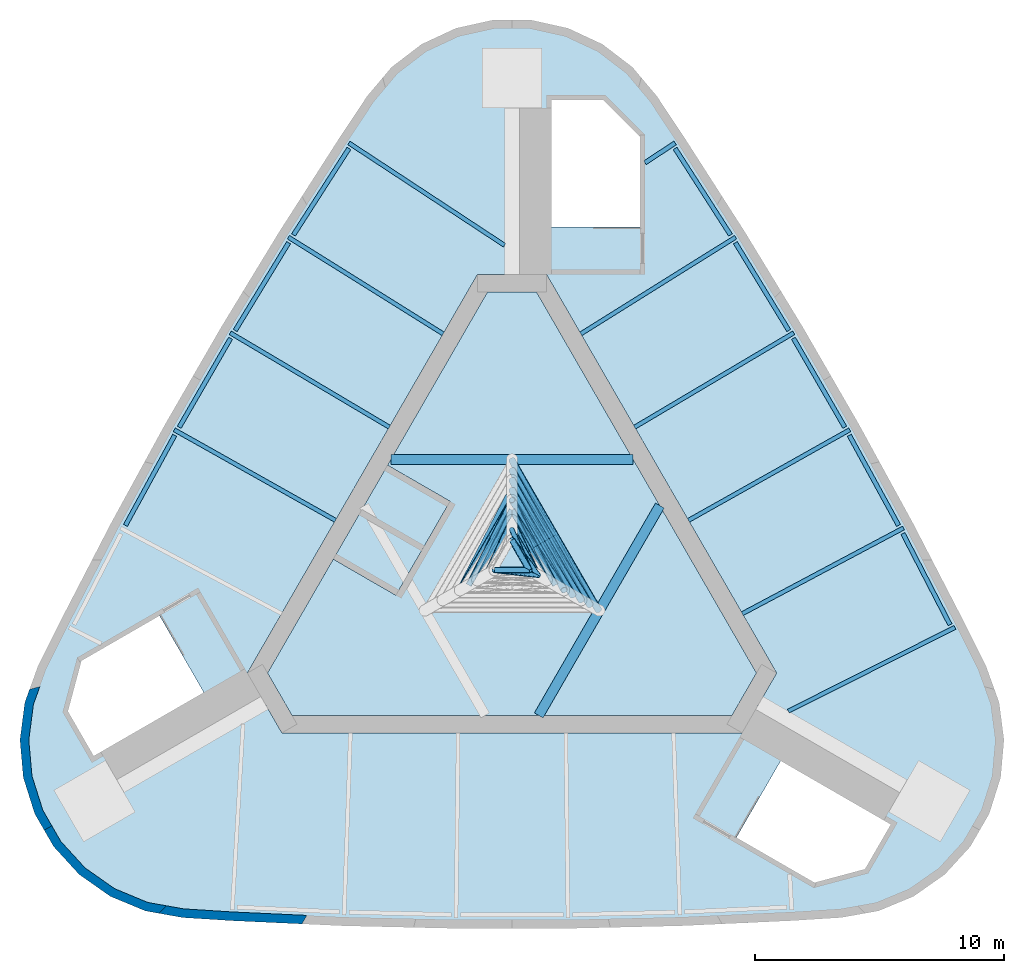
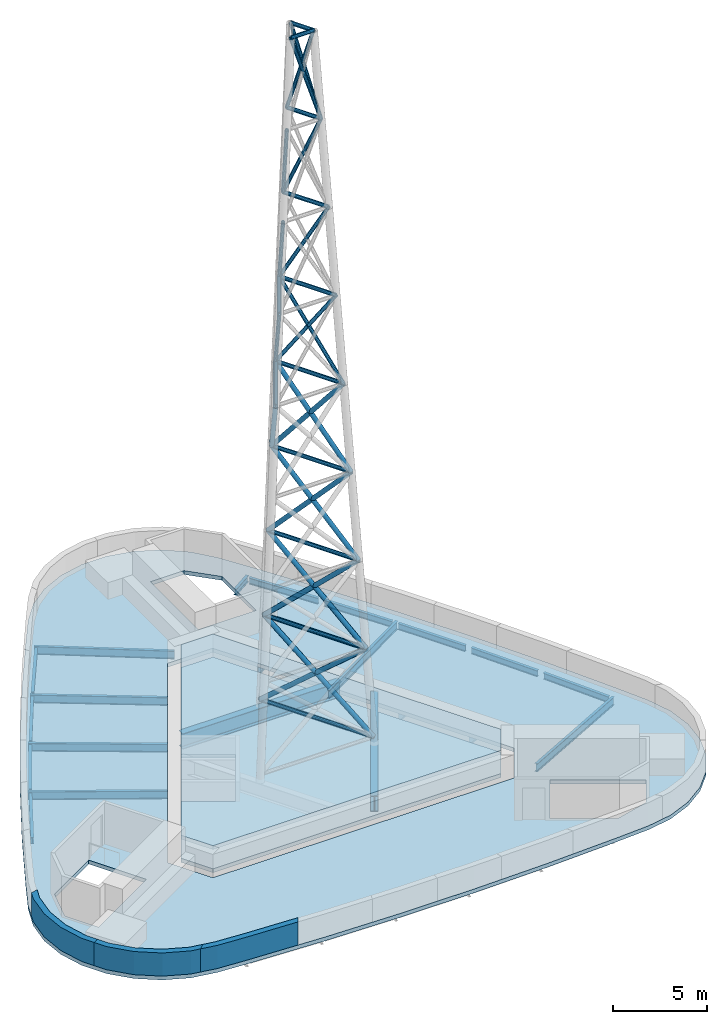
# One storey, part 2 of 4: 31 members, 21 beams, 3 slabs, 3 walls.
"""IFC4 building model written with IfcOpenShell, lengths in metres."""

from ifc_helpers import new_model, si_unit, direction, frame, origin, origin_2d, place, context, subcontext, project, spatial, polyline, hollow_circle, i_section, outline, extrude, material, layer, layer_set, material_profile, profile_set, type_object, element, save


model = new_model("IFC4")

# Units and contexts
model_context = context("Model", 3, precision=1e-05, world=origin(), true_north=direction((0.0, 1.0)))
body_context = subcontext(model_context, "Body", "Model", "MODEL_VIEW")
ifc_project = project(units=[si_unit("LENGTHUNIT", "METRE"), si_unit("AREAUNIT", "SQUARE_METRE"), si_unit("VOLUMEUNIT", "CUBIC_METRE"), si_unit("PLANEANGLEUNIT", "RADIAN"), si_unit("MASSUNIT", "GRAM", prefix="KILO")], contexts=[model_context])

# Site, building, storey
site_placement = place(None, origin())
site = spatial("IfcSite", under=ifc_project, at=site_placement, CompositionType="ELEMENT")
building_placement = place(site_placement, origin())
building = spatial("IfcBuilding", under=site, at=building_placement, Name="Noor Cloister Tower", CompositionType="ELEMENT")
storey_placement = place(building_placement, frame((0.0, 0.0, 306.60009765625)))
storey = spatial("IfcBuildingStorey", under=building, at=storey_placement, Name="Roof", CompositionType="ELEMENT", Elevation=306.60009765625)

# Members
ifc_material_1 = material(Name="Steel ASTM A500 Gr C", Category="steel")
ifc_material_profile_1 = material_profile(ifc_material_1, hollow_circle(Radius=0.109619140625, WallThickness=0.00830078125, at=origin_2d()), Name="HSS219.1x8.2")
ifc_profile_set_1 = profile_set([ifc_material_profile_1], Name="Steel ASTM A500 Gr C")
member_type_1 = type_object("IfcMemberType", Name="MAST BRACE HSS219.1x8.2", PredefinedType="BRACE", material=ifc_profile_set_1)
for number, where, z_axis, x_axis, name in (
    (1, (0.0, 2.4091796875, 24.599853515625), (-0.252546026961, -0.495523231682, 0.831069931552), (0.890959731662, -0.454082323546, 0.0), "MAST BRACE 1-5-1"),
    (2, (2.08642578125, -1.20458984375, 24.599853515625), (-0.302866667304, 0.466491217145, 0.831058196616), (-0.838733200922, -0.544542576546, 0.0), "MAST BRACE 3-5-1"),
    (3, (0.0, 2.4091796875, 24.599853515625), (0.252546026961, -0.495523231682, 0.831069931552), (0.890959731662, 0.454082323546, 0.0), "MAST BRACE 3-5-2"),
):
    element("IfcMember", number, at=place(storey_placement, frame(where, z_axis=z_axis, x_axis=x_axis)), inside=storey, type_object=member_type_1, Name=name, PredefinedType="BRACE", context=body_context, shape_type="SweptSolid", body=[
        extrude(hollow_circle(Radius=0.109619140625, WallThickness=0.00830078125, at=origin_2d()), origin(), (0.0, 0.0, 1.0), 6.888916015625),
    ])
for number, where, z_axis, x_axis, name in (
    (4, (0.0, 2.009033203125, 30.324951171875), (-0.213395673786, -0.430904458509, 0.876803075979), (0.896131414675, -0.443788787187, 0.0), "MAST BRACE 1-6-1"),
    (5, (0.0, 2.009033203125, 30.324951171875), (0.213395673786, -0.430904458509, 0.876803075979), (0.896131414675, 0.443788787187, 0.0), "MAST BRACE 3-6-2"),
):
    element("IfcMember", number, at=place(storey_placement, frame(where, z_axis=z_axis, x_axis=x_axis)), inside=storey, type_object=member_type_1, Name=name, PredefinedType="BRACE", context=body_context, shape_type="SweptSolid", body=[
        extrude(hollow_circle(Radius=0.109619140625, WallThickness=0.00830078125, at=origin_2d()), origin(), (0.0, 0.0, 1.0), 6.529296875),
    ])
for number, where, z_axis, x_axis, name in (
    (6, (0.0, 1.608642578125, 36.0498046875), (-0.168093483015, -0.355399890377, 0.919475665196), (0.903987470917, -0.427558946141, 0.0), "MAST BRACE 1-7-1"),
    (7, (0.0, 1.608642578125, 36.0498046875), (0.168093483015, -0.355399890377, 0.919475665196), (0.903987470917, 0.427558946141, 0.0), "MAST BRACE 3-7-2"),
):
    element("IfcMember", number, at=place(storey_placement, frame(where, z_axis=z_axis, x_axis=x_axis)), inside=storey, type_object=member_type_1, Name=name, PredefinedType="BRACE", context=body_context, shape_type="SweptSolid", body=[
        extrude(hollow_circle(Radius=0.109619140625, WallThickness=0.00830078125, at=origin_2d()), origin(), (0.0, 0.0, 1.0), 6.2265625),
    ])
for number, where, z_axis, x_axis, name in (
    (8, (1.046630859375, -0.604248046875, 41.77490234375), (-0.291634715847, 0.03342751845, 0.955945497151), (-0.113875582215, -0.993495018495, 0.0), "MAST BRACE 2-8-2"),
    (9, (1.046630859375, -0.604248046875, 41.77490234375), (-0.17476010912, 0.235867037875, 0.955942281053), (-0.80348584745, -0.595323855517, 0.0), "MAST BRACE 3-8-1"),
    (10, (0.0, 1.20849609375, 41.77490234375), (0.116874640487, -0.269256016888, 0.95595058229), (0.917310557792, 0.398172501013, 0.0), "MAST BRACE 3-8-2"),
):
    element("IfcMember", number, at=place(storey_placement, frame(where, z_axis=z_axis, x_axis=x_axis)), inside=storey, type_object=member_type_1, Name=name, PredefinedType="BRACE", context=body_context, shape_type="SweptSolid", body=[
        extrude(hollow_circle(Radius=0.109619140625, WallThickness=0.00830078125, at=origin_2d()), origin(), (0.0, 0.0, 1.0), 5.989013671875),
    ])
ifc_material_2 = material(Name="Steel ASTM A500 Gr C", Category="steel")
ifc_material_profile_2 = material_profile(ifc_material_2, hollow_circle(Radius=0.136474609375, WallThickness=0.009521484375, at=origin_2d()), Name="HSS273.1x9.5")
ifc_profile_set_2 = profile_set([ifc_material_profile_2], Name="Steel ASTM A500 Gr C")
member_type_2 = type_object("IfcMemberType", Name="MAST BRACE HSS273.1x9.5", PredefinedType="BRACE", material=ifc_profile_set_2)
member_1_placement = place(storey_placement, frame((3.47265625, -2.0048828125, 1.699951171875), z_axis=(-0.39740436974, 0.642541176553, 0.655141666623), x_axis=(-0.850477866723, -0.526010834693, 0.0)))
element("IfcMember", 11, at=member_1_placement, inside=storey, type_object=member_type_2, Name="MAST BRACE 3-1-1", PredefinedType="BRACE", context=body_context, shape_type="SweptSolid", body=[
    extrude(hollow_circle(Radius=0.136474609375, WallThickness=0.009521484375, at=origin_2d()), origin(), (0.0, 0.0, 1.0), 8.73828125),
])
member_2_placement = place(storey_placement, frame((0.0, 4.010009765625, 1.699951171875), z_axis=(0.357754042713, -0.665442076481, 0.655132725309), x_axis=(0.880780828243, 0.473524162635, 0.0)))
element("IfcMember", 12, at=member_2_placement, inside=storey, type_object=member_type_2, Name="MAST BRACE 3-1-2", PredefinedType="BRACE", context=body_context, shape_type="SweptSolid", body=[
    extrude(hollow_circle(Radius=0.136474609375, WallThickness=0.009521484375, at=origin_2d()), origin(), (0.0, 0.0, 1.0), 8.738525390625),
])
member_3_placement = place(storey_placement, frame((3.126220703125, -1.804931640625, 7.4248046875), z_axis=(-0.379965132951, 0.609457545153, 0.695836186467), x_axis=(-0.848589661957, -0.529051590698, 0.0)))
element("IfcMember", 13, at=member_3_placement, inside=storey, type_object=member_type_2, Name="MAST BRACE 3-2-1", PredefinedType="BRACE", context=body_context, shape_type="SweptSolid", body=[
    extrude(hollow_circle(Radius=0.136474609375, WallThickness=0.009521484375, at=origin_2d()), origin(), (0.0, 0.0, 1.0), 8.2275390625),
])
member_4_placement = place(storey_placement, frame((0.0, 3.60986328125, 7.4248046875), z_axis=(0.337828234702, -0.633787726394, 0.695834176878), x_axis=(0.882463854545, 0.47038021368, 0.0)))
element("IfcMember", 14, at=member_4_placement, inside=storey, type_object=member_type_2, Name="MAST BRACE 3-2-2", PredefinedType="BRACE", context=body_context, shape_type="SweptSolid", body=[
    extrude(hollow_circle(Radius=0.136474609375, WallThickness=0.009521484375, at=origin_2d()), origin(), (0.0, 0.0, 1.0), 8.227783203125),
])
for number, where, z_axis, x_axis, name in (
    (15, (2.779541015625, -1.604736328125, 13.14990234375), (-0.358877460904, 0.569916951528, 0.739189851402), (-0.846205483352, -0.532856716149, 0.0), "MAST BRACE 3-3-1"),
    (16, (0.0, 3.20947265625, 13.14990234375), (0.314115254422, -0.595763001363, 0.739187427617), (0.884577877416, 0.466392515791, 0.0), "MAST BRACE 3-3-2"),
):
    element("IfcMember", number, at=place(storey_placement, frame(where, z_axis=z_axis, x_axis=x_axis)), inside=storey, type_object=member_type_2, Name=name, PredefinedType="BRACE", context=body_context, shape_type="SweptSolid", body=[
        extrude(hollow_circle(Radius=0.136474609375, WallThickness=0.009521484375, at=origin_2d()), origin(), (0.0, 0.0, 1.0), 7.7451171875),
    ])
member_5_placement = place(storey_placement, frame((0.0, 2.809326171875, 18.875), z_axis=(-0.285949575126, -0.55011665863, 0.784604679047), x_axis=(0.887290129595, -0.461211693177, 0.0)))
element("IfcMember", 17, at=member_5_placement, inside=storey, type_object=member_type_2, Name="MAST BRACE 1-4-1", PredefinedType="BRACE", context=body_context, shape_type="SweptSolid", body=[
    extrude(hollow_circle(Radius=0.136474609375, WallThickness=0.009521484375, at=origin_2d()), origin(), (0.0, 0.0, 1.0), 7.29638671875),
])
member_6_placement = place(storey_placement, frame((2.432861328125, -1.40478515625, 18.875), z_axis=(-0.333427981952, 0.522710680789, 0.784601379709), x_axis=(-0.843081003034, -0.537786595522, 0.0)))
element("IfcMember", 18, at=member_6_placement, inside=storey, type_object=member_type_2, Name="MAST BRACE 3-4-1", PredefinedType="BRACE", context=body_context, shape_type="SweptSolid", body=[
    extrude(hollow_circle(Radius=0.136474609375, WallThickness=0.009521484375, at=origin_2d()), origin(), (0.0, 0.0, 1.0), 7.296630859375),
])
member_7_placement = place(storey_placement, frame((0.0, 2.809326171875, 18.875), z_axis=(0.285949575126, -0.55011665863, 0.784604679047), x_axis=(0.887290129595, 0.461211693177, 0.0)))
element("IfcMember", 19, at=member_7_placement, inside=storey, type_object=member_type_2, Name="MAST BRACE 3-4-2", PredefinedType="BRACE", context=body_context, shape_type="SweptSolid", body=[
    extrude(hollow_circle(Radius=0.136474609375, WallThickness=0.009521484375, at=origin_2d()), origin(), (0.0, 0.0, 1.0), 7.29638671875),
])
ifc_material_3 = material(Name="Steel ASTM A500 Gr C", Category="steel")
ifc_material_profile_3 = material_profile(ifc_material_3, hollow_circle(Radius=0.1220703125, WallThickness=0.008056640625, at=origin_2d()), Name="HSS244.5x7.9")
ifc_profile_set_3 = profile_set([ifc_material_profile_3], Name="Steel ASTM A500 Gr C")
member_type_3 = type_object("IfcMemberType", Name="MAST RING HSS244.5x7.9", PredefinedType="STRUT", material=ifc_profile_set_3)
member_8_placement = place(storey_placement, frame((3.47265625, -2.0048828125, 1.699951171875), z_axis=(-0.49999529192, 0.866028121979, 0.0), x_axis=(-0.866028121979, -0.49999529192, 0.0)))
element("IfcMember", 20, at=member_8_placement, inside=storey, type_object=member_type_3, Name="MAST RING 3-0", PredefinedType="STRUT", context=body_context, shape_type="SweptSolid", body=[
    extrude(hollow_circle(Radius=0.1220703125, WallThickness=0.008056640625, at=origin_2d()), origin(), (0.0, 0.0, 1.0), 6.9453125),
])
member_9_placement = place(storey_placement, frame((3.126220703125, -1.804931640625, 7.4248046875), z_axis=(-0.499998488279, 0.866026276575, 0.0), x_axis=(-0.866026276575, -0.499998488279, 0.0)))
element("IfcMember", 21, at=member_9_placement, inside=storey, type_object=member_type_3, Name="MAST RING 3-1", PredefinedType="STRUT", context=body_context, shape_type="SweptSolid", body=[
    extrude(hollow_circle(Radius=0.1220703125, WallThickness=0.008056640625, at=origin_2d()), origin(), (0.0, 0.0, 1.0), 6.25244140625),
])
member_10_placement = place(storey_placement, frame((2.779541015625, -1.604736328125, 13.14990234375), z_axis=(-0.500007577232, 0.866021029023, 0.0), x_axis=(-0.866021029023, -0.500007577232, 0.0)))
element("IfcMember", 22, at=member_10_placement, inside=storey, type_object=member_type_3, Name="MAST RING 3-2", PredefinedType="STRUT", context=body_context, shape_type="SweptSolid", body=[
    extrude(hollow_circle(Radius=0.1220703125, WallThickness=0.008056640625, at=origin_2d()), origin(), (0.0, 0.0, 1.0), 5.55908203125),
])
member_11_placement = place(storey_placement, frame((2.432861328125, -1.40478515625, 18.875), z_axis=(-0.499975803918, 0.866039372948, 0.0), x_axis=(-0.866039372948, -0.499975803918, 0.0)))
element("IfcMember", 23, at=member_11_placement, inside=storey, type_object=member_type_3, Name="MAST RING 3-3", PredefinedType="STRUT", context=body_context, shape_type="SweptSolid", body=[
    extrude(hollow_circle(Radius=0.1220703125, WallThickness=0.008056640625, at=origin_2d()), origin(), (0.0, 0.0, 1.0), 4.865966796875),
])
for number, where, z_axis, x_axis, name in (
    (24, (0.0, 2.4091796875, 24.599853515625), (-0.500002690545, -0.866023850392, 0.0), (0.866023850392, -0.500002690545, 0.0), "MAST RING 1-4"),
    (25, (2.08642578125, -1.20458984375, 24.599853515625), (-0.500002690545, 0.866023850392, 0.0), (-0.866023850392, -0.500002690545, 0.0), "MAST RING 3-4"),
):
    element("IfcMember", number, at=place(storey_placement, frame(where, z_axis=z_axis, x_axis=x_axis)), inside=storey, type_object=member_type_3, Name=name, PredefinedType="STRUT", context=body_context, shape_type="SweptSolid", body=[
        extrude(hollow_circle(Radius=0.1220703125, WallThickness=0.008056640625, at=origin_2d()), origin(), (0.0, 0.0, 1.0), 4.1728515625),
    ])
for number, where, z_axis, x_axis, name in (
    (26, (0.0, 2.009033203125, 30.324951171875), (-0.499987666584, -0.866032524368, 0.0), (0.866032524368, -0.499987666584, 0.0), "MAST RING 1-5"),
    (27, (1.73974609375, -1.00439453125, 30.324951171875), (-0.499987666584, 0.866032524368, 0.0), (-0.866032524368, -0.499987666584, 0.0), "MAST RING 3-5"),
):
    element("IfcMember", number, at=place(storey_placement, frame(where, z_axis=z_axis, x_axis=x_axis)), inside=storey, type_object=member_type_3, Name=name, PredefinedType="STRUT", context=body_context, shape_type="SweptSolid", body=[
        extrude(hollow_circle(Radius=0.1220703125, WallThickness=0.008056640625, at=origin_2d()), origin(), (0.0, 0.0, 1.0), 3.4794921875),
    ])
member_12_placement = place(storey_placement, frame((1.393310546875, -0.804443359375, 36.0498046875), z_axis=(-0.500030880729, 0.866007574053, 0.0), x_axis=(-0.866007574053, -0.500030880729, 0.0)))
element("IfcMember", 28, at=member_12_placement, inside=storey, type_object=member_type_3, Name="MAST RING 3-6", PredefinedType="STRUT", context=body_context, shape_type="SweptSolid", body=[
    extrude(hollow_circle(Radius=0.1220703125, WallThickness=0.008056640625, at=origin_2d()), origin(), (0.0, 0.0, 1.0), 2.786376953125),
])
member_13_placement = place(storey_placement, frame((1.046630859375, -0.604248046875, 41.77490234375), z_axis=(-0.5000152428, 0.866016603171, 0.0), x_axis=(-0.866016603171, -0.5000152428, 0.0)))
element("IfcMember", 29, at=member_13_placement, inside=storey, type_object=member_type_3, Name="MAST RING 3-7", PredefinedType="STRUT", context=body_context, shape_type="SweptSolid", body=[
    extrude(hollow_circle(Radius=0.1220703125, WallThickness=0.008056640625, at=origin_2d()), origin(), (0.0, 0.0, 1.0), 2.09326171875),
])
for number, where, z_axis, x_axis, name in (
    (30, (-0.699951171875, -0.404052734375, 47.5), (1.0, 0.0, 0.0), (0.0, 1.0, 0.0), "MAST RING 2-8"),
    (31, (0.699951171875, -0.404052734375, 47.5), (-0.49998411664, 0.866034573852, 0.0), (-0.866034573852, -0.49998411664, 0.0), "MAST RING 3-8"),
):
    element("IfcMember", number, at=place(storey_placement, frame(where, z_axis=z_axis, x_axis=x_axis)), inside=storey, type_object=member_type_3, Name=name, PredefinedType="STRUT", context=body_context, shape_type="SweptSolid", body=[
        extrude(hollow_circle(Radius=0.1220703125, WallThickness=0.008056640625, at=origin_2d()), origin(), (0.0, 0.0, 1.0), 1.39990234375),
    ])

# Beams
ifc_material_4 = material(Name="Steel ASTM A992 Gr 50", Category="steel")
ifc_material_profile_4 = material_profile(ifc_material_4, i_section(OverallWidth=0.40087890625, OverallDepth=0.98291015625, WebThickness=0.0166015625, FlangeThickness=0.027099609375, FilletRadius=0.030029296875, at=origin_2d()), Name="W1000x296")
ifc_profile_set_4 = profile_set([ifc_material_profile_4], Name="Steel ASTM A992 Gr 50")
beam_type_1 = type_object("IfcBeamType", Name="Mast plinth beam W1000x296", PredefinedType="BEAM", material=ifc_profile_set_4)
for number, where, z_axis, x_axis, name in (
    (32, (4.8583984375, 4.04150390625, 0.75830078125), (-1.0, 0.0, 0.0), (0.0, -1.0, 0.0), "MAST PLINTH BEAM N"),
    (33, (1.07080078125, -6.228271484375, 0.75830078125), (0.499997944509, 0.866026590519, 0.0), (-0.866026590519, 0.499997944509, 0.0), "MAST PLINTH BEAM SE"),
):
    element("IfcBeam", number, at=place(storey_placement, frame(where, z_axis=z_axis, x_axis=x_axis)), inside=storey, type_object=beam_type_1, Name=name, PredefinedType="BEAM", context=body_context, shape_type="SweptSolid", body=[
        extrude(i_section(OverallWidth=0.40087890625, OverallDepth=0.98291015625, WebThickness=0.0166015625, FlangeThickness=0.027099609375, FilletRadius=0.030029296875, at=origin_2d()), origin(), (0.0, 0.0, 1.0), 9.716796875),
    ])
ifc_material_5 = material(Name="Steel ASTM A992 Gr 50", Category="steel")
ifc_material_profile_5 = material_profile(ifc_material_5, i_section(OverallWidth=0.177978515625, OverallDepth=0.406005859375, WebThickness=0.0078125, FlangeThickness=0.0126953125, FilletRadius=0.01025390625, at=origin_2d()), Name="W410x60")
ifc_profile_set_5 = profile_set([ifc_material_profile_5], Name="Steel ASTM A992 Gr 50")
beam_type_2 = type_object("IfcBeamType", Name="Radial beam W410x60", PredefinedType="BEAM", material=ifc_profile_set_5)
beam_1_placement = place(storey_placement, frame((6.543701171875, 16.732421875, -0.453125), z_axis=(-0.835592525802, -0.549349734526, 0.0), x_axis=(0.549349734526, -0.835592525802, 0.0)))
element("IfcBeam", 34, at=beam_1_placement, inside=storey, type_object=beam_type_2, Name="Radial beam NE 06 Roof", PredefinedType="BEAM", context=body_context, shape_type="SweptSolid", body=[
    extrude(i_section(OverallWidth=0.177978515625, OverallDepth=0.406005859375, WebThickness=0.0078125, FlangeThickness=0.0126953125, FilletRadius=0.01025390625, at=origin_2d()), origin(), (0.0, 0.0, 1.0), 1.44580078125),
])
ifc_material_6 = material(Name="Steel ASTM A992 Gr 50", Category="steel")
ifc_material_profile_6 = material_profile(ifc_material_6, i_section(OverallWidth=0.166015625, OverallDepth=0.528076171875, WebThickness=0.009765625, FlangeThickness=0.013671875, FilletRadius=0.0126953125, at=origin_2d()), Name="W530x74")
ifc_profile_set_6 = profile_set([ifc_material_profile_6], Name="Steel ASTM A992 Gr 50")
beam_type_3 = type_object("IfcBeamType", Name="Radial beam W530x74", PredefinedType="BEAM", material=ifc_profile_set_6)
beam_2_placement = place(storey_placement, frame((-6.543701171875, 16.732421875, -0.51416015625), z_axis=(0.835597066484, -0.549342827825, 0.0), x_axis=(0.549342827825, 0.835597066484, 0.0)))
element("IfcBeam", 35, at=beam_2_placement, inside=storey, type_object=beam_type_3, Name="Radial beam NW 01 Roof", PredefinedType="BEAM", context=body_context, shape_type="SweptSolid", body=[
    extrude(i_section(OverallWidth=0.166015625, OverallDepth=0.528076171875, WebThickness=0.009765625, FlangeThickness=0.013671875, FilletRadius=0.0126953125, at=origin_2d()), origin(), (0.0, 0.0, 1.0), 7.47216796875),
])
beam_3_placement = place(storey_placement, frame((-8.966552734375, 12.952392578125, -0.51416015625), z_axis=(0.848095755563, -0.529842985606, 0.0), x_axis=(0.529842985606, 0.848095755563, 0.0)))
element("IfcBeam", 36, at=beam_3_placement, inside=storey, type_object=beam_type_3, Name="Radial beam NW 02 Roof", PredefinedType="BEAM", context=body_context, shape_type="SweptSolid", body=[
    extrude(i_section(OverallWidth=0.166015625, OverallDepth=0.528076171875, WebThickness=0.009765625, FlangeThickness=0.013671875, FilletRadius=0.0126953125, at=origin_2d()), origin(), (0.0, 0.0, 1.0), 7.317626953125),
])
beam_4_placement = place(storey_placement, frame((-11.301025390625, 9.116943359375, -0.51416015625), z_axis=(0.8601674766, -0.510011678492, 0.0), x_axis=(0.510011678492, 0.8601674766, 0.0)))
element("IfcBeam", 37, at=beam_4_placement, inside=storey, type_object=beam_type_3, Name="Radial beam NW 03 Roof", PredefinedType="BEAM", context=body_context, shape_type="SweptSolid", body=[
    extrude(i_section(OverallWidth=0.166015625, OverallDepth=0.528076171875, WebThickness=0.009765625, FlangeThickness=0.013671875, FilletRadius=0.0126953125, at=origin_2d()), origin(), (0.0, 0.0, 1.0), 7.41796875),
])
beam_5_placement = place(storey_placement, frame((-13.546142578125, 5.228515625, -0.51416015625), z_axis=(0.871771481583, -0.489912730901, 0.0), x_axis=(0.489912730901, 0.871771481583, 0.0)))
element("IfcBeam", 38, at=beam_5_placement, inside=storey, type_object=beam_type_3, Name="Radial beam NW 04 Roof", PredefinedType="BEAM", context=body_context, shape_type="SweptSolid", body=[
    extrude(i_section(OverallWidth=0.166015625, OverallDepth=0.528076171875, WebThickness=0.009765625, FlangeThickness=0.013671875, FilletRadius=0.0126953125, at=origin_2d()), origin(), (0.0, 0.0, 1.0), 7.417724609375),
])
beam_6_placement = place(storey_placement, frame((17.762451171875, -2.69921875, -0.51416015625), z_axis=(-0.893543245424, -0.448977135897, 0.0), x_axis=(0.448977135897, -0.893543245424, 0.0)))
element("IfcBeam", 39, at=beam_6_placement, inside=storey, type_object=beam_type_3, Name="Radial beam NE 01 Roof", PredefinedType="BEAM", context=body_context, shape_type="SweptSolid", body=[
    extrude(i_section(OverallWidth=0.166015625, OverallDepth=0.528076171875, WebThickness=0.009765625, FlangeThickness=0.013671875, FilletRadius=0.0126953125, at=origin_2d()), origin(), (0.0, 0.0, 1.0), 7.471923828125),
])
beam_7_placement = place(storey_placement, frame((15.7001953125, 1.2890625, -0.51416015625), z_axis=(-0.882900936167, -0.469559300745, 0.0), x_axis=(0.469559300745, -0.882900936167, 0.0)))
element("IfcBeam", 40, at=beam_7_placement, inside=storey, type_object=beam_type_3, Name="Radial beam NE 02 Roof", PredefinedType="BEAM", context=body_context, shape_type="SweptSolid", body=[
    extrude(i_section(OverallWidth=0.166015625, OverallDepth=0.528076171875, WebThickness=0.009765625, FlangeThickness=0.013671875, FilletRadius=0.0126953125, at=origin_2d()), origin(), (0.0, 0.0, 1.0), 7.317626953125),
])
beam_8_placement = place(storey_placement, frame((13.546142578125, 5.228515625, -0.51416015625), z_axis=(-0.871771481583, -0.489912730901, 0.0), x_axis=(0.489912730901, -0.871771481583, 0.0)))
element("IfcBeam", 41, at=beam_8_placement, inside=storey, type_object=beam_type_3, Name="Radial beam NE 03 Roof", PredefinedType="BEAM", context=body_context, shape_type="SweptSolid", body=[
    extrude(i_section(OverallWidth=0.166015625, OverallDepth=0.528076171875, WebThickness=0.009765625, FlangeThickness=0.013671875, FilletRadius=0.0126953125, at=origin_2d()), origin(), (0.0, 0.0, 1.0), 7.417724609375),
])
beam_9_placement = place(storey_placement, frame((11.301025390625, 9.116943359375, -0.51416015625), z_axis=(-0.8601674766, -0.510011678492, 0.0), x_axis=(0.510011678492, -0.8601674766, 0.0)))
element("IfcBeam", 42, at=beam_9_placement, inside=storey, type_object=beam_type_3, Name="Radial beam NE 04 Roof", PredefinedType="BEAM", context=body_context, shape_type="SweptSolid", body=[
    extrude(i_section(OverallWidth=0.166015625, OverallDepth=0.528076171875, WebThickness=0.009765625, FlangeThickness=0.013671875, FilletRadius=0.0126953125, at=origin_2d()), origin(), (0.0, 0.0, 1.0), 7.41796875),
])
beam_10_placement = place(storey_placement, frame((8.966552734375, 12.952392578125, -0.51416015625), z_axis=(-0.848095755563, -0.529842985606, 0.0), x_axis=(0.529842985606, -0.848095755563, 0.0)))
element("IfcBeam", 43, at=beam_10_placement, inside=storey, type_object=beam_type_3, Name="Radial beam NE 05 Roof", PredefinedType="BEAM", context=body_context, shape_type="SweptSolid", body=[
    extrude(i_section(OverallWidth=0.166015625, OverallDepth=0.528076171875, WebThickness=0.009765625, FlangeThickness=0.013671875, FilletRadius=0.0126953125, at=origin_2d()), origin(), (0.0, 0.0, 1.0), 7.317626953125),
])
ifc_material_7 = material(Name="Steel ASTM A992 Gr 50", Category="steel")
ifc_material_profile_7 = material_profile(ifc_material_7, i_section(OverallWidth=0.177978515625, OverallDepth=0.406005859375, WebThickness=0.0078125, FlangeThickness=0.0126953125, FilletRadius=0.01025390625, at=origin_2d()), Name="W410x60")
ifc_profile_set_7 = profile_set([ifc_material_profile_7], Name="Steel ASTM A992 Gr 50")
beam_type_4 = type_object("IfcBeamType", Name="Spandrel beam W410x60", PredefinedType="SPANDREL", material=ifc_profile_set_7)
for number, where, z_axis, x_axis, name in (
    (44, (-6.541015625, 16.510498046875, -0.453125), (-0.539591790673, -0.841926777956, 0.0), (0.841926777956, -0.539591790673, 0.0), "Spandrel beam NW 01 Roof"),
    (45, (-8.958740234375, 12.73046875, -0.453125), (-0.519967629608, -0.854185965794, 0.0), (0.854185965794, -0.519967629608, 0.0), "Spandrel beam NW 02 Roof"),
    (46, (-11.2880859375, 8.8955078125, -0.453125), (-0.499989236795, -0.866031617834, 0.0), (0.866031617834, -0.499989236795, 0.0), "Spandrel beam NW 03 Roof"),
    (47, (-13.528076171875, 5.00732421875, -0.453125), (-0.479794519486, -0.877380885973, 0.0), (0.877380885973, -0.479794519486, 0.0), "Spandrel beam NW 04 Roof"),
    (48, (17.569091796875, -2.590576171875, -0.453125), (-0.459334235581, 0.888263508213, 0.0), (-0.888263508213, -0.459334235581, 0.0), "Spandrel beam NE 01 Roof"),
    (49, (15.50439453125, 1.393310546875, -0.453125), (-0.479794519486, 0.877380885973, 0.0), (-0.877380885973, -0.479794519486, 0.0), "Spandrel beam NE 02 Roof"),
    (50, (13.34765625, 5.328125, -0.453125), (-0.499989236795, 0.866031617834, 0.0), (-0.866031617834, -0.499989236795, 0.0), "Spandrel beam NE 03 Roof"),
    (51, (11.1005859375, 9.2119140625, -0.453125), (-0.519967629608, 0.854185965794, 0.0), (-0.854185965794, -0.519967629608, 0.0), "Spandrel beam NE 04 Roof"),
    (52, (8.763671875, 13.04248046875, -0.453125), (-0.539591790673, 0.841926777956, 0.0), (-0.841926777956, -0.539591790673, 0.0), "Spandrel beam NE 05 Roof"),
):
    element("IfcBeam", number, at=place(storey_placement, frame(where, z_axis=z_axis, x_axis=x_axis)), inside=storey, type_object=beam_type_4, Name=name, PredefinedType="SPANDREL", context=body_context, shape_type="SweptSolid", body=[
        extrude(i_section(OverallWidth=0.177978515625, OverallDepth=0.406005859375, WebThickness=0.0078125, FlangeThickness=0.0126953125, FilletRadius=0.01025390625, at=origin_2d()), origin(), (0.0, 0.0, 1.0), 4.119140625),
    ])

# Slabs
ifc_material_8 = material(Name="Concrete C40/50", Category="concrete")
ifc_layer_1 = layer(ifc_material_8, 0.25)
ifc_layer_set_1 = layer_set([ifc_layer_1], Name="Core roof slab 250 C40/50")
slab_type_1 = type_object("IfcSlabType", Name="Core roof slab 250 C40/50", PredefinedType="ROOF", material=ifc_layer_set_1)
slab_1_placement = place(storey_placement, frame((0.0, 0.0, -0.25)))
element("IfcSlab", 53, at=slab_1_placement, inside=storey, type_object=slab_type_1, Name="Core roof over the top floor", PredefinedType="ROOF", context=body_context, shape_type="SweptSolid", body=[
    extrude(outline(polyline([(-4.993896484375, 3.806884765625), (-2.482421875, 2.35693359375), (-4.6572265625, -1.410400390625), (-7.168701171875, 0.039794921875), (-9.80615234375, -4.5283203125), (-8.82470703125, -6.228271484375), (8.82470703125, -6.228271484375), (9.80615234375, -4.5283203125), (0.9814453125, 10.75634765625), (-0.9814453125, 10.75634765625), (-4.993896484375, 3.806884765625)])), origin(), (0.0, 0.0, 1.0), 0.25),
])
slab_2_placement = place(storey_placement, frame((0.0, 0.0, 1.25)))
element("IfcSlab", 54, at=slab_2_placement, inside=storey, type_object=slab_type_1, Name="Core roof cap", PredefinedType="ROOF", context=body_context, shape_type="SweptSolid", body=[
    extrude(outline(polyline([(-8.82470703125, -6.228271484375), (8.82470703125, -6.228271484375), (9.80615234375, -4.5283203125), (0.9814453125, 10.75634765625), (-0.9814453125, 10.75634765625), (-9.80615234375, -4.5283203125), (-8.82470703125, -6.228271484375)])), origin(), (0.0, 0.0, 1.0), 0.25),
])
ifc_material_9 = material(Name="Concrete C40/50", Category="concrete")
ifc_layer_2 = layer(ifc_material_9, 0.25)
ifc_layer_set_2 = layer_set([ifc_layer_2], Name="Roof slab 250 C40/50")
slab_type_2 = type_object("IfcSlabType", Name="Roof slab 250 C40/50", PredefinedType="ROOF", material=ifc_layer_set_2)
slab_3_placement = place(storey_placement, frame((0.0, 0.0, -0.25)))
element("IfcSlab", 55, at=slab_3_placement, inside=storey, type_object=slab_type_2, Name="Roof slab Roof", PredefinedType="ROOF", context=body_context, shape_type="SweptSolid", body=[
    extrude(outline(polyline([(5.809814453125, 18.609619140625), (4.830078125, 19.771484375), (3.62255859375, 20.69482421875), (2.244140625, 21.33544921875), (0.760009765625, 21.66357421875), (-0.760009765625, 21.66357421875), (-2.244140625, 21.33544921875), (-3.62255859375, 20.69482421875), (-4.830078125, 19.771484375), (-5.809814453125, 18.609619140625), (-6.9013671875, 16.967529296875), (-9.32958984375, 13.178955078125), (-11.669189453125, 9.335205078125), (-13.919189453125, 5.438232421875), (-16.078125, 1.489990234375), (-18.14501953125, -2.507080078125), (-19.021240234375, -4.2734375), (-19.53759765625, -5.702880859375), (-19.7333984375, -7.210205078125), (-19.59912109375, -8.724365234375), (-19.14111328125, -10.173583984375), (-18.381103515625, -11.489990234375), (-17.35498046875, -12.611083984375), (-16.11083984375, -13.484619140625), (-14.707763671875, -14.068603515625), (-13.21142578125, -14.336181640625), (-11.24365234375, -14.46044921875), (-6.74853515625, -14.669189453125), (-2.25, -14.7734375), (2.25, -14.7734375), (6.74853515625, -14.669189453125), (11.24365234375, -14.46044921875), (13.21142578125, -14.336181640625), (14.707763671875, -14.068603515625), (16.11083984375, -13.484619140625), (17.35498046875, -12.611083984375), (18.381103515625, -11.489990234375), (19.14111328125, -10.173583984375), (19.59912109375, -8.724365234375), (19.7333984375, -7.210205078125), (19.53759765625, -5.702880859375), (19.021240234375, -4.2734375), (18.14501953125, -2.507080078125), (16.078125, 1.489990234375), (13.919189453125, 5.438232421875), (11.669189453125, 9.335205078125), (9.32958984375, 13.178955078125), (6.9013671875, 16.967529296875), (5.809814453125, 18.609619140625)]), holes=[polyline([(8.999755859375, -11.126220703125), (12.131591796875, -12.934326171875), (14.1572265625, -12.3916015625), (15.19091796875, -10.601318359375), (10.774658203125, -8.0517578125), (8.999755859375, -11.126220703125)]), polyline([(-17.81005859375, -6.064697265625), (-16.776611328125, -7.85498046875), (-12.3603515625, -5.305419921875), (-14.13525390625, -2.23095703125), (-16.662841796875, -3.690185546875), (-17.267333984375, -4.039306640625), (-17.81005859375, -6.064697265625)]), polyline([(-10.6142578125, -4.5283203125), (-9.228759765625, -6.92822265625), (9.228759765625, -6.92822265625), (10.6142578125, -4.5283203125), (1.3857421875, 11.456298828125), (-1.3857421875, 11.456298828125), (-10.6142578125, -4.5283203125)]), polyline([(3.65283203125, 18.456298828125), (1.585693359375, 18.456298828125), (1.585693359375, 13.35693359375), (5.135498046875, 13.35693359375), (5.135498046875, 16.9736328125), (3.65283203125, 18.456298828125)])]), origin(), (0.0, 0.0, 1.0), 0.25),
])

# Walls
ifc_material_10 = material(Name="Limestone", Category="masonry")
ifc_layer_3 = layer(ifc_material_10, 0.35009765625)
ifc_layer_set_3 = layer_set([ifc_layer_3], Name="Limestone crown parapet 350")
wall_type = type_object("IfcWallType", Name="Limestone crown parapet 350", PredefinedType="PARAPET", material=ifc_layer_set_3)
wall_1_placement = place(storey_placement, origin())
element("IfcWall", 56, at=wall_1_placement, inside=storey, type_object=wall_type, Name="Crown roof parapet", PredefinedType="PARAPET", context=body_context, shape_type="SweptSolid", body=[
    extrude(outline(polyline([(-18.76123046875, -10.831787109375), (-18.4580078125, -10.65673828125), (-18.81884765625, -10.03173828125), (-19.25390625, -8.6552734375), (-19.38134765625, -7.21728515625), (-19.195556640625, -5.785888671875), (-18.9384765625, -5.074462890625), (-19.3505859375, -5.18505859375), (-19.53759765625, -5.702880859375), (-19.7333984375, -7.210205078125), (-19.59912109375, -8.724365234375), (-19.14111328125, -10.173583984375), (-18.76123046875, -10.831787109375)])), origin(), (0.0, 0.0, 1.0), 1.5),
])
wall_2_placement = place(storey_placement, origin())
element("IfcWall", 57, at=wall_2_placement, inside=storey, type_object=wall_type, Name="Crown roof parapet", PredefinedType="PARAPET", context=body_context, shape_type="SweptSolid", body=[
    extrude(outline(polyline([(-14.16552734375, -14.16552734375), (-13.864013671875, -13.864013671875), (-14.6083984375, -13.73095703125), (-15.941162109375, -13.176025390625), (-17.12255859375, -12.3466796875), (-18.09716796875, -11.28173828125), (-18.4580078125, -10.65673828125), (-18.76123046875, -10.831787109375), (-18.381103515625, -11.489990234375), (-17.35498046875, -12.611083984375), (-16.11083984375, -13.484619140625), (-14.707763671875, -14.068603515625), (-14.16552734375, -14.16552734375)])), origin(), (0.0, 0.0, 1.0), 1.5),
])
wall_3_placement = place(storey_placement, origin())
element("IfcWall", 58, at=wall_3_placement, inside=storey, type_object=wall_type, Name="Crown roof parapet", PredefinedType="PARAPET", context=body_context, shape_type="SweptSolid", body=[
    extrude(outline(polyline([(-8.42431640625, -14.59130859375), (-8.227294921875, -14.25), (-11.224609375, -14.111083984375), (-13.16943359375, -13.98828125), (-13.864013671875, -13.864013671875), (-14.16552734375, -14.16552734375), (-13.21142578125, -14.336181640625), (-11.24365234375, -14.46044921875), (-8.42431640625, -14.59130859375)])), origin(), (0.0, 0.0, 1.0), 1.5),
])

save(model, "model.ifc")
